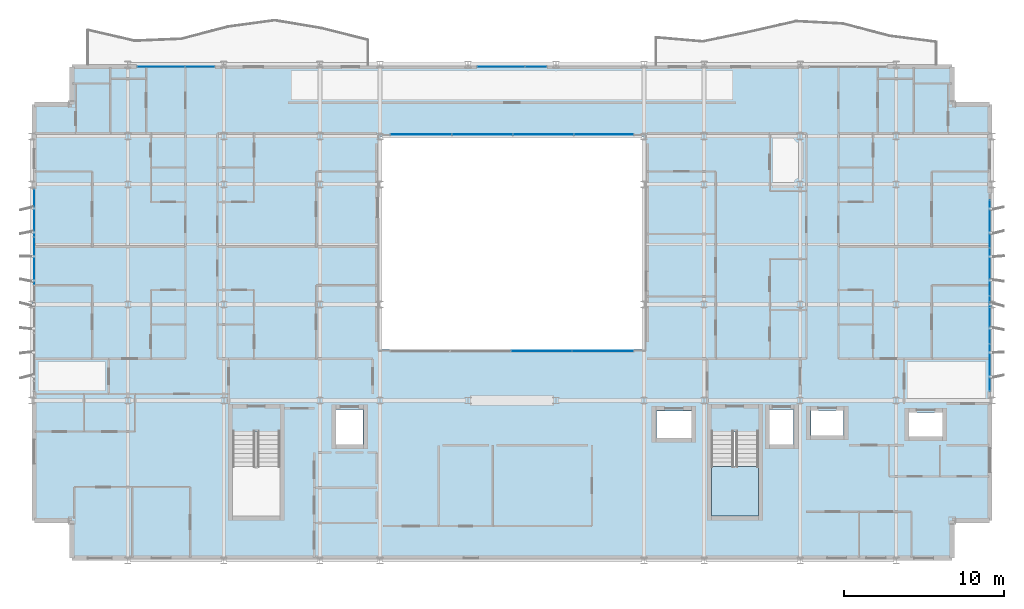
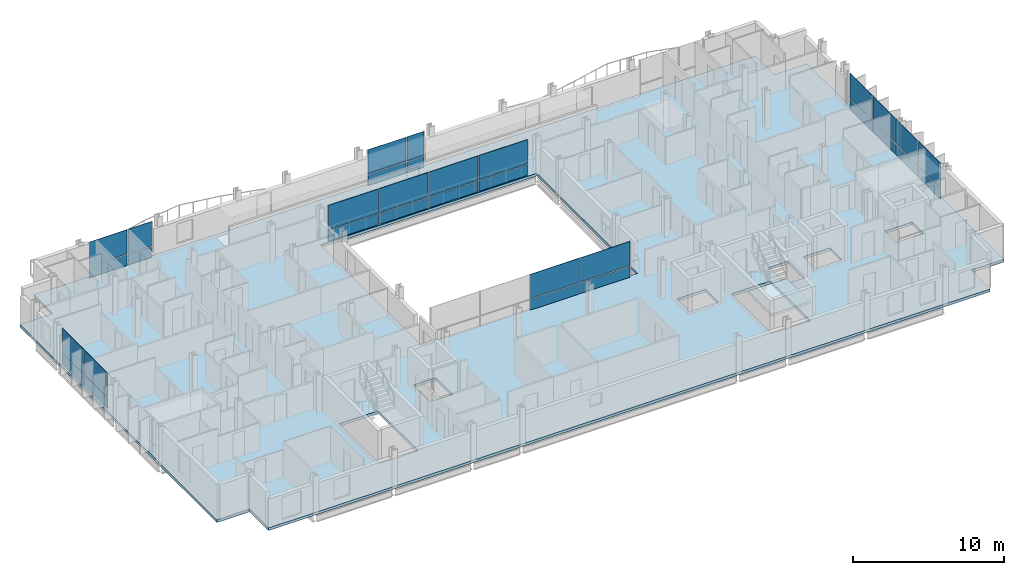
# One storey, part 23 of 39: 32 plates, 2 slabs, 7 elements without a shape of their own.
"""IFC4 building model written with IfcOpenShell, lengths in metres."""

from ifc_helpers import new_model, si_unit, direction, frame, origin, origin_2d, place, context, subcontext, project, spatial, polyline, rectangle, outline, extrude, material, layer, layer_set, type_object, element, aggregate, save


model = new_model("IFC4")

# Units and contexts
model_context = context("Model", 3, precision=1e-05, world=origin(), true_north=direction((0.0, 1.0)))
body_context = subcontext(model_context, "Body", "Model", "MODEL_VIEW")
ifc_project = project(units=[si_unit("LENGTHUNIT", "METRE"), si_unit("AREAUNIT", "SQUARE_METRE"), si_unit("VOLUMEUNIT", "CUBIC_METRE"), si_unit("PLANEANGLEUNIT", "RADIAN"), si_unit("MASSUNIT", "GRAM", prefix="KILO")], contexts=[model_context])

# Site, building, storey
site_placement = place(None, origin())
site = spatial("IfcSite", under=ifc_project, at=site_placement, CompositionType="ELEMENT")
building_placement = place(site_placement, origin())
building = spatial("IfcBuilding", under=site, at=building_placement, Name="Brevholm Reach", CompositionType="ELEMENT")
storey_placement = place(building_placement, frame((0.0, 0.0, 109.699951171875)))
storey = spatial("IfcBuildingStorey", under=building, at=storey_placement, Name="L32", CompositionType="ELEMENT", Elevation=109.699951171875)

# Curtain wall, plates
ifc_material_1 = material(Name="Dark Anodised Aluminium 6063-T6 and Solar-Control Glass", Category="aluminium")
ifc_layer_1 = layer(ifc_material_1, 0.14990234375)
ifc_layer_set_1 = layer_set([ifc_layer_1], Name="Dark Anodised Aluminium 6063-T6 and Solar-Control Glass")
curtain_wall_type_1 = type_object("IfcCurtainWallType", Name="CW-01", PredefinedType="NOTDEFINED", material=ifc_layer_set_1)
curtain_wall_1_placement = place(storey_placement, origin())
curtain_wall_1 = element("IfcCurtainWall", 1, at=curtain_wall_1_placement, inside=storey, type_object=curtain_wall_type_1, Name="L32 Curtain Wall CW-01", PredefinedType="NOTDEFINED")
ifc_material_2 = material(Name="Dark Solar-Control Double-Glazed IGU Glass", Category="glass")
ifc_layer_2 = layer(ifc_material_2, 0.028076171875)
ifc_layer_set_2 = layer_set([ifc_layer_2], Name="Dark Solar-Control Double-Glazed IGU Glass")
plate_type_1 = type_object("IfcPlateType", Name="CWP-GLZ-28", PredefinedType="CURTAIN_PANEL", material=ifc_layer_set_2)
plate_1_placement = place(storey_placement, frame((0.14990234375, 21.703857421875, 0.0), z_axis=(0.0, 0.0, 1.0), x_axis=(0.0, -1.0, 0.0)))
plate_1 = element("IfcPlate", 2, at=plate_1_placement, type_object=plate_type_1, Name="CP-01 Glazing Panel 1.1", PredefinedType="CURTAIN_PANEL", context=body_context, shape_type="SweptSolid", body=[
    extrude(rectangle(XDim=2.902587890625, YDim=0.028076171875, at=origin_2d()), origin(), (0.0, 0.0, 1.0), 0.867431640625),
])
plate_2_placement = place(storey_placement, frame((0.14990234375, 21.703857421875, 0.9326171875), z_axis=(0.0, 0.0, 1.0), x_axis=(0.0, -1.0, 0.0)))
plate_2 = element("IfcPlate", 3, at=plate_2_placement, type_object=plate_type_1, Name="CP-01 Glazing Panel 1.2", PredefinedType="CURTAIN_PANEL", context=body_context, shape_type="SweptSolid", body=[
    extrude(rectangle(XDim=2.902587890625, YDim=0.028076171875, at=origin_2d()), origin(), (0.0, 0.0, 1.0), 1.947509765625),
])
plate_3_placement = place(storey_placement, frame((0.14990234375, 18.719970703125, 0.0), z_axis=(0.0, 0.0, 1.0), x_axis=(0.0, -1.0, 0.0)))
plate_3 = element("IfcPlate", 4, at=plate_3_placement, type_object=plate_type_1, Name="CP-01 Glazing Panel 2.1", PredefinedType="CURTAIN_PANEL", context=body_context, shape_type="SweptSolid", body=[
    extrude(rectangle(XDim=2.93505859375, YDim=0.028076171875, at=origin_2d()), origin(), (0.0, 0.0, 1.0), 0.867431640625),
])
plate_4_placement = place(storey_placement, frame((0.14990234375, 18.719970703125, 0.9326171875), z_axis=(0.0, 0.0, 1.0), x_axis=(0.0, -1.0, 0.0)))
plate_4 = element("IfcPlate", 5, at=plate_4_placement, type_object=plate_type_1, Name="CP-01 Glazing Panel 2.2", PredefinedType="CURTAIN_PANEL", context=body_context, shape_type="SweptSolid", body=[
    extrude(rectangle(XDim=2.93505859375, YDim=0.028076171875, at=origin_2d()), origin(), (0.0, 0.0, 1.0), 1.947509765625),
])
aggregate(curtain_wall_1, [plate_1, plate_2, plate_3, plate_4])

curtain_wall_2_placement = place(storey_placement, origin())
curtain_wall_2 = element("IfcCurtainWall", 6, at=curtain_wall_2_placement, inside=storey, type_object=curtain_wall_type_1, Name="L32 Curtain Wall CW-01", PredefinedType="NOTDEFINED")
plate_5_placement = place(storey_placement, frame((59.85009765625, 12.066162109375, 0.0), z_axis=(0.0, 0.0, 1.0), x_axis=(0.0, 1.0, 0.0)))
plate_5 = element("IfcPlate", 7, at=plate_5_placement, type_object=plate_type_1, Name="CP-01 Glazing Panel 1.1", PredefinedType="CURTAIN_PANEL", context=body_context, shape_type="SweptSolid", body=[
    extrude(rectangle(XDim=2.902587890625, YDim=0.028076171875, at=origin_2d()), origin(), (0.0, 0.0, 1.0), 0.867431640625),
])
plate_6_placement = place(storey_placement, frame((59.85009765625, 12.066162109375, 0.9326171875), z_axis=(0.0, 0.0, 1.0), x_axis=(0.0, 1.0, 0.0)))
plate_6 = element("IfcPlate", 8, at=plate_6_placement, type_object=plate_type_1, Name="CP-01 Glazing Panel 1.2", PredefinedType="CURTAIN_PANEL", context=body_context, shape_type="SweptSolid", body=[
    extrude(rectangle(XDim=2.902587890625, YDim=0.028076171875, at=origin_2d()), origin(), (0.0, 0.0, 1.0), 1.947509765625),
])
plate_7_placement = place(storey_placement, frame((59.85009765625, 15.050048828125, 0.0), z_axis=(0.0, 0.0, 1.0), x_axis=(0.0, 1.0, 0.0)))
plate_7 = element("IfcPlate", 9, at=plate_7_placement, type_object=plate_type_1, Name="CP-01 Glazing Panel 2.1", PredefinedType="CURTAIN_PANEL", context=body_context, shape_type="SweptSolid", body=[
    extrude(rectangle(XDim=2.93505859375, YDim=0.028076171875, at=origin_2d()), origin(), (0.0, 0.0, 1.0), 0.867431640625),
])
plate_8_placement = place(storey_placement, frame((59.85009765625, 15.050048828125, 0.9326171875), z_axis=(0.0, 0.0, 1.0), x_axis=(0.0, 1.0, 0.0)))
plate_8 = element("IfcPlate", 10, at=plate_8_placement, type_object=plate_type_1, Name="CP-01 Glazing Panel 2.2", PredefinedType="CURTAIN_PANEL", context=body_context, shape_type="SweptSolid", body=[
    extrude(rectangle(XDim=2.93505859375, YDim=0.028076171875, at=origin_2d()), origin(), (0.0, 0.0, 1.0), 1.947509765625),
])
plate_9_placement = place(storey_placement, frame((59.85009765625, 18.050048828125, 0.0), z_axis=(0.0, 0.0, 1.0), x_axis=(0.0, 1.0, 0.0)))
plate_9 = element("IfcPlate", 11, at=plate_9_placement, type_object=plate_type_1, Name="CP-01 Glazing Panel 3.1", PredefinedType="CURTAIN_PANEL", context=body_context, shape_type="SweptSolid", body=[
    extrude(rectangle(XDim=2.93505859375, YDim=0.028076171875, at=origin_2d()), origin(), (0.0, 0.0, 1.0), 0.867431640625),
])
plate_10_placement = place(storey_placement, frame((59.85009765625, 18.050048828125, 0.9326171875), z_axis=(0.0, 0.0, 1.0), x_axis=(0.0, 1.0, 0.0)))
plate_10 = element("IfcPlate", 12, at=plate_10_placement, type_object=plate_type_1, Name="CP-01 Glazing Panel 3.2", PredefinedType="CURTAIN_PANEL", context=body_context, shape_type="SweptSolid", body=[
    extrude(rectangle(XDim=2.93505859375, YDim=0.028076171875, at=origin_2d()), origin(), (0.0, 0.0, 1.0), 1.947509765625),
])
plate_11_placement = place(storey_placement, frame((59.85009765625, 21.050048828125, 0.0), z_axis=(0.0, 0.0, 1.0), x_axis=(0.0, 1.0, 0.0)))
plate_11 = element("IfcPlate", 13, at=plate_11_placement, type_object=plate_type_1, Name="CP-01 Glazing Panel 4.1", PredefinedType="CURTAIN_PANEL", context=body_context, shape_type="SweptSolid", body=[
    extrude(rectangle(XDim=2.93505859375, YDim=0.028076171875, at=origin_2d()), origin(), (0.0, 0.0, 1.0), 0.867431640625),
])
plate_12_placement = place(storey_placement, frame((59.85009765625, 21.050048828125, 0.9326171875), z_axis=(0.0, 0.0, 1.0), x_axis=(0.0, 1.0, 0.0)))
plate_12 = element("IfcPlate", 14, at=plate_12_placement, type_object=plate_type_1, Name="CP-01 Glazing Panel 4.2", PredefinedType="CURTAIN_PANEL", context=body_context, shape_type="SweptSolid", body=[
    extrude(rectangle(XDim=2.93505859375, YDim=0.028076171875, at=origin_2d()), origin(), (0.0, 0.0, 1.0), 1.947509765625),
])
aggregate(curtain_wall_2, [plate_5, plate_6, plate_7, plate_8, plate_9, plate_10, plate_11, plate_12])

curtain_wall_3_placement = place(storey_placement, origin())
curtain_wall_3 = element("IfcCurtainWall", 15, at=curtain_wall_3_placement, inside=storey, type_object=curtain_wall_type_1, Name="L32 Curtain Wall CW-01", PredefinedType="NOTDEFINED")
plate_13_placement = place(storey_placement, frame((8.066162109375, 30.85009765625, 0.0), z_axis=(0.0, 0.0, 1.0), x_axis=(1.0, 0.0, 0.0)))
plate_13 = element("IfcPlate", 16, at=plate_13_placement, type_object=plate_type_1, Name="CP-01 Glazing Panel 1.1", PredefinedType="CURTAIN_PANEL", context=body_context, shape_type="SweptSolid", body=[
    extrude(rectangle(XDim=2.902587890625, YDim=0.028076171875, at=origin_2d()), origin(), (0.0, 0.0, 1.0), 0.867431640625),
])
plate_14_placement = place(storey_placement, frame((8.066162109375, 30.85009765625, 0.9326171875), z_axis=(0.0, 0.0, 1.0), x_axis=(1.0, 0.0, 0.0)))
plate_14 = element("IfcPlate", 17, at=plate_14_placement, type_object=plate_type_1, Name="CP-01 Glazing Panel 1.2", PredefinedType="CURTAIN_PANEL", context=body_context, shape_type="SweptSolid", body=[
    extrude(rectangle(XDim=2.902587890625, YDim=0.028076171875, at=origin_2d()), origin(), (0.0, 0.0, 1.0), 1.947509765625),
])
plate_15_placement = place(storey_placement, frame((10.483642578125, 30.85009765625, 0.0), z_axis=(0.0, 0.0, 1.0), x_axis=(1.0, 0.0, 0.0)))
plate_15 = element("IfcPlate", 18, at=plate_15_placement, type_object=plate_type_1, Name="CP-01 Glazing Panel 2.1", PredefinedType="CURTAIN_PANEL", context=body_context, shape_type="SweptSolid", body=[
    extrude(rectangle(XDim=1.802490234375, YDim=0.028076171875, at=origin_2d()), origin(), (0.0, 0.0, 1.0), 0.867431640625),
])
plate_16_placement = place(storey_placement, frame((10.483642578125, 30.85009765625, 0.9326171875), z_axis=(0.0, 0.0, 1.0), x_axis=(1.0, 0.0, 0.0)))
plate_16 = element("IfcPlate", 19, at=plate_16_placement, type_object=plate_type_1, Name="CP-01 Glazing Panel 2.2", PredefinedType="CURTAIN_PANEL", context=body_context, shape_type="SweptSolid", body=[
    extrude(rectangle(XDim=1.802490234375, YDim=0.028076171875, at=origin_2d()), origin(), (0.0, 0.0, 1.0), 1.947509765625),
])
aggregate(curtain_wall_3, [plate_13, plate_14, plate_15, plate_16])

curtain_wall_4_placement = place(storey_placement, origin())
curtain_wall_4 = element("IfcCurtainWall", 20, at=curtain_wall_4_placement, inside=storey, type_object=curtain_wall_type_1, Name="L32 Curtain Wall CW-01", PredefinedType="NOTDEFINED")
plate_17_placement = place(storey_placement, frame((29.316162109375, 30.85009765625, 0.0), z_axis=(0.0, 0.0, 1.0), x_axis=(1.0, 0.0, 0.0)))
plate_17 = element("IfcPlate", 21, at=plate_17_placement, type_object=plate_type_1, Name="CP-01 Glazing Panel 1.1", PredefinedType="CURTAIN_PANEL", context=body_context, shape_type="SweptSolid", body=[
    extrude(rectangle(XDim=2.902587890625, YDim=0.028076171875, at=origin_2d()), origin(), (0.0, 0.0, 1.0), 0.867431640625),
])
plate_18_placement = place(storey_placement, frame((29.316162109375, 30.85009765625, 0.9326171875), z_axis=(0.0, 0.0, 1.0), x_axis=(1.0, 0.0, 0.0)))
plate_18 = element("IfcPlate", 22, at=plate_18_placement, type_object=plate_type_1, Name="CP-01 Glazing Panel 1.2", PredefinedType="CURTAIN_PANEL", context=body_context, shape_type="SweptSolid", body=[
    extrude(rectangle(XDim=2.902587890625, YDim=0.028076171875, at=origin_2d()), origin(), (0.0, 0.0, 1.0), 1.947509765625),
])
plate_19_placement = place(storey_placement, frame((31.483642578125, 30.85009765625, 0.0), z_axis=(0.0, 0.0, 1.0), x_axis=(1.0, 0.0, 0.0)))
plate_19 = element("IfcPlate", 23, at=plate_19_placement, type_object=plate_type_1, Name="CP-01 Glazing Panel 2.1", PredefinedType="CURTAIN_PANEL", context=body_context, shape_type="SweptSolid", body=[
    extrude(rectangle(XDim=1.302490234375, YDim=0.028076171875, at=origin_2d()), origin(), (0.0, 0.0, 1.0), 0.867431640625),
])
plate_20_placement = place(storey_placement, frame((31.483642578125, 30.85009765625, 0.9326171875), z_axis=(0.0, 0.0, 1.0), x_axis=(1.0, 0.0, 0.0)))
plate_20 = element("IfcPlate", 24, at=plate_20_placement, type_object=plate_type_1, Name="CP-01 Glazing Panel 2.2", PredefinedType="CURTAIN_PANEL", context=body_context, shape_type="SweptSolid", body=[
    extrude(rectangle(XDim=1.302490234375, YDim=0.028076171875, at=origin_2d()), origin(), (0.0, 0.0, 1.0), 1.947509765625),
])
aggregate(curtain_wall_4, [plate_17, plate_18, plate_19, plate_20])

ifc_material_3 = material(Name="Dark Anodised Aluminium 6063-T6 and Solar-Control Glass", Category="aluminium")
ifc_layer_3 = layer(ifc_material_3, 0.139892578125)
ifc_layer_set_3 = layer_set([ifc_layer_3], Name="Dark Anodised Aluminium 6063-T6 and Solar-Control Glass")
curtain_wall_type_2 = type_object("IfcCurtainWallType", Name="CW-02", PredefinedType="NOTDEFINED", material=ifc_layer_set_3)
curtain_wall_5_placement = place(storey_placement, origin())
curtain_wall_5 = element("IfcCurtainWall", 25, at=curtain_wall_5_placement, inside=storey, type_object=curtain_wall_type_2, Name="L32 Curtain Wall CW-02", PredefinedType="NOTDEFINED")
ifc_material_4 = material(Name="Low-Iron Laminated Acoustic Glass", Category="glass")
ifc_layer_4 = layer(ifc_material_4, 0.035888671875)
ifc_layer_set_4 = layer_set([ifc_layer_4], Name="Low-Iron Laminated Acoustic Glass")
plate_type_2 = type_object("IfcPlateType", Name="CWP-GLZ-36", PredefinedType="CURTAIN_PANEL", material=ifc_layer_set_4)
plate_21_placement = place(storey_placement, frame((31.85009765625, 13.080078125, 0.0), z_axis=(0.0, 0.0, 1.0), x_axis=(1.0, 0.0, 0.0)))
plate_21 = element("IfcPlate", 26, at=plate_21_placement, type_object=plate_type_2, Name="CP-02 Glazing Panel 3.1", PredefinedType="CURTAIN_PANEL", context=body_context, shape_type="SweptSolid", body=[
    extrude(rectangle(XDim=3.739990234375, YDim=0.035888671875, at=origin_2d()), origin(), (0.0, 0.0, 1.0), 0.8701171875),
])
plate_22_placement = place(storey_placement, frame((31.85009765625, 13.080078125, 0.93017578125), z_axis=(0.0, 0.0, 1.0), x_axis=(1.0, 0.0, 0.0)))
plate_22 = element("IfcPlate", 27, at=plate_22_placement, type_object=plate_type_2, Name="CP-02 Glazing Panel 3.2", PredefinedType="CURTAIN_PANEL", context=body_context, shape_type="SweptSolid", body=[
    extrude(rectangle(XDim=3.739990234375, YDim=0.035888671875, at=origin_2d()), origin(), (0.0, 0.0, 1.0), 1.949951171875),
])
plate_23_placement = place(storey_placement, frame((35.68505859375, 13.080078125, 0.0), z_axis=(0.0, 0.0, 1.0), x_axis=(1.0, 0.0, 0.0)))
plate_23 = element("IfcPlate", 28, at=plate_23_placement, type_object=plate_type_2, Name="CP-02 Glazing Panel 4.1", PredefinedType="CURTAIN_PANEL", context=body_context, shape_type="SweptSolid", body=[
    extrude(rectangle(XDim=3.81005859375, YDim=0.035888671875, at=origin_2d()), origin(), (0.0, 0.0, 1.0), 0.8701171875),
])
plate_24_placement = place(storey_placement, frame((35.68505859375, 13.080078125, 0.93017578125), z_axis=(0.0, 0.0, 1.0), x_axis=(1.0, 0.0, 0.0)))
plate_24 = element("IfcPlate", 29, at=plate_24_placement, type_object=plate_type_2, Name="CP-02 Glazing Panel 4.2", PredefinedType="CURTAIN_PANEL", context=body_context, shape_type="SweptSolid", body=[
    extrude(rectangle(XDim=3.81005859375, YDim=0.035888671875, at=origin_2d()), origin(), (0.0, 0.0, 1.0), 1.949951171875),
])
aggregate(curtain_wall_5, [plate_21, plate_22, plate_23, plate_24])

curtain_wall_6_placement = place(storey_placement, origin())
curtain_wall_6 = element("IfcCurtainWall", 30, at=curtain_wall_6_placement, inside=storey, type_object=curtain_wall_type_2, Name="L32 Curtain Wall CW-02", PredefinedType="NOTDEFINED")
plate_25_placement = place(storey_placement, frame((35.735107421875, 26.6201171875, 0.0), z_axis=(0.0, 0.0, 1.0), x_axis=(-1.0, 0.0, 0.0)))
plate_25 = element("IfcPlate", 31, at=plate_25_placement, type_object=plate_type_2, Name="CP-02 Glazing Panel 1.1", PredefinedType="CURTAIN_PANEL", context=body_context, shape_type="SweptSolid", body=[
    extrude(rectangle(XDim=3.7099609375, YDim=0.035888671875, at=origin_2d()), origin(), (0.0, 0.0, 1.0), 0.8701171875),
])
plate_26_placement = place(storey_placement, frame((35.735107421875, 26.6201171875, 0.93017578125), z_axis=(0.0, 0.0, 1.0), x_axis=(-1.0, 0.0, 0.0)))
plate_26 = element("IfcPlate", 32, at=plate_26_placement, type_object=plate_type_2, Name="CP-02 Glazing Panel 1.2", PredefinedType="CURTAIN_PANEL", context=body_context, shape_type="SweptSolid", body=[
    extrude(rectangle(XDim=3.7099609375, YDim=0.035888671875, at=origin_2d()), origin(), (0.0, 0.0, 1.0), 1.949951171875),
])
plate_27_placement = place(storey_placement, frame((31.949951171875, 26.6201171875, 0.0), z_axis=(0.0, 0.0, 1.0), x_axis=(-1.0, 0.0, 0.0)))
plate_27 = element("IfcPlate", 33, at=plate_27_placement, type_object=plate_type_2, Name="CP-02 Glazing Panel 2.1", PredefinedType="CURTAIN_PANEL", context=body_context, shape_type="SweptSolid", body=[
    extrude(rectangle(XDim=3.739990234375, YDim=0.035888671875, at=origin_2d()), origin(), (0.0, 0.0, 1.0), 0.8701171875),
])
plate_28_placement = place(storey_placement, frame((31.949951171875, 26.6201171875, 0.93017578125), z_axis=(0.0, 0.0, 1.0), x_axis=(-1.0, 0.0, 0.0)))
plate_28 = element("IfcPlate", 34, at=plate_28_placement, type_object=plate_type_2, Name="CP-02 Glazing Panel 2.2", PredefinedType="CURTAIN_PANEL", context=body_context, shape_type="SweptSolid", body=[
    extrude(rectangle(XDim=3.739990234375, YDim=0.035888671875, at=origin_2d()), origin(), (0.0, 0.0, 1.0), 1.949951171875),
])
plate_29_placement = place(storey_placement, frame((28.14990234375, 26.6201171875, 0.0), z_axis=(0.0, 0.0, 1.0), x_axis=(-1.0, 0.0, 0.0)))
plate_29 = element("IfcPlate", 35, at=plate_29_placement, type_object=plate_type_2, Name="CP-02 Glazing Panel 3.1", PredefinedType="CURTAIN_PANEL", context=body_context, shape_type="SweptSolid", body=[
    extrude(rectangle(XDim=3.739990234375, YDim=0.035888671875, at=origin_2d()), origin(), (0.0, 0.0, 1.0), 0.8701171875),
])
plate_30_placement = place(storey_placement, frame((28.14990234375, 26.6201171875, 0.93017578125), z_axis=(0.0, 0.0, 1.0), x_axis=(-1.0, 0.0, 0.0)))
plate_30 = element("IfcPlate", 36, at=plate_30_placement, type_object=plate_type_2, Name="CP-02 Glazing Panel 3.2", PredefinedType="CURTAIN_PANEL", context=body_context, shape_type="SweptSolid", body=[
    extrude(rectangle(XDim=3.739990234375, YDim=0.035888671875, at=origin_2d()), origin(), (0.0, 0.0, 1.0), 1.949951171875),
])
plate_31_placement = place(storey_placement, frame((24.31494140625, 26.6201171875, 0.0), z_axis=(0.0, 0.0, 1.0), x_axis=(-1.0, 0.0, 0.0)))
plate_31 = element("IfcPlate", 37, at=plate_31_placement, type_object=plate_type_2, Name="CP-02 Glazing Panel 4.1", PredefinedType="CURTAIN_PANEL", context=body_context, shape_type="SweptSolid", body=[
    extrude(rectangle(XDim=3.81005859375, YDim=0.035888671875, at=origin_2d()), origin(), (0.0, 0.0, 1.0), 0.8701171875),
])
plate_32_placement = place(storey_placement, frame((24.31494140625, 26.6201171875, 0.93017578125), z_axis=(0.0, 0.0, 1.0), x_axis=(-1.0, 0.0, 0.0)))
plate_32 = element("IfcPlate", 38, at=plate_32_placement, type_object=plate_type_2, Name="CP-02 Glazing Panel 4.2", PredefinedType="CURTAIN_PANEL", context=body_context, shape_type="SweptSolid", body=[
    extrude(rectangle(XDim=3.81005859375, YDim=0.035888671875, at=origin_2d()), origin(), (0.0, 0.0, 1.0), 1.949951171875),
])
aggregate(curtain_wall_6, [plate_25, plate_26, plate_27, plate_28, plate_29, plate_30, plate_31, plate_32])

# Slab
ifc_material_5 = material(Name="Concrete C40/50", Category="concrete")
ifc_layer_5 = layer(ifc_material_5, 0.219970703125)
ifc_layer_set_5 = layer_set([ifc_layer_5], Name="Concrete C40/50")
slab_type_1 = type_object("IfcSlabType", Name="SLB-FL-220", PredefinedType="FLOOR", material=ifc_layer_set_5)
slab_1_placement = place(storey_placement, frame((0.0, 0.0, -0.219970703125)))
element("IfcSlab", 39, at=slab_1_placement, inside=storey, type_object=slab_type_1, Name="L32 Suspended Floor Slab (main)", PredefinedType="FLOOR", context=body_context, shape_type="SweptSolid", body=[
    extrude(outline(polyline([(2.5, 0.0), (57.5, 0.0), (57.5, 2.5), (60.0, 2.5), (60.0, 28.5), (57.5, 28.5), (57.5, 31.0), (2.5, 31.0), (2.5, 28.5), (0.0, 28.5), (0.0, 2.5), (2.5, 2.5), (2.5, 0.0)]), holes=[polyline([(21.75, 13.199951171875), (38.25, 13.199951171875), (38.25, 26.5), (21.75, 26.5), (21.75, 13.199951171875)]), polyline([(12.550048828125, 2.780029296875), (15.5, 2.780029296875), (15.5, 8.044921875), (12.550048828125, 8.044921875), (12.550048828125, 2.780029296875)]), polyline([(42.449951171875, 2.780029296875), (45.39990234375, 2.780029296875), (45.39990234375, 8.044921875), (42.449951171875, 8.044921875), (42.449951171875, 2.780029296875)]), polyline([(19.0, 7.25), (20.699951171875, 7.25), (20.699951171875, 9.449951171875), (19.0, 9.449951171875), (19.0, 7.25)]), polyline([(46.10009765625, 7.25), (47.60009765625, 7.25), (47.60009765625, 9.449951171875), (46.10009765625, 9.449951171875), (46.10009765625, 7.25)]), polyline([(48.675048828125, 7.824951171875), (50.72509765625, 7.824951171875), (50.72509765625, 9.375), (48.675048828125, 9.375), (48.675048828125, 7.824951171875)]), polyline([(54.800048828125, 7.75), (56.89990234375, 7.75), (56.89990234375, 9.25), (54.800048828125, 9.25), (54.800048828125, 7.75)]), polyline([(39.02001953125, 7.64990234375), (41.219970703125, 7.64990234375), (41.219970703125, 9.35009765625), (39.02001953125, 9.35009765625), (39.02001953125, 7.64990234375)])]), origin(), (0.0, 0.0, 1.0), 0.219970703125),
])

# Stair, slab
ifc_material_6 = material(Name="Precast Concrete C40/50", Category="concrete")
stair_type = type_object("IfcStairType", Name="STR-ESC-1400", PredefinedType="DOUBLE_RETURN_STAIR", material=ifc_material_6)
stair_placement = place(storey_placement, origin())
stair = element("IfcStair", 40, at=stair_placement, inside=storey, type_object=stair_type, Name="L32 ST-2", PredefinedType="DOUBLE_RETURN_STAIR")
ifc_material_7 = material(Name="Concrete C40/50", Category="concrete")
ifc_layer_6 = layer(ifc_material_7, 0.199951171875)
ifc_layer_set_6 = layer_set([ifc_layer_6], Name="Concrete C40/50")
slab_type_2 = type_object("IfcSlabType", Name="SLB-LND-200", PredefinedType="LANDING", material=ifc_layer_set_6)
slab_2_placement = place(storey_placement, frame((0.0, 0.0, 1.35009765625)))
slab_2 = element("IfcSlab", 41, at=slab_2_placement, type_object=slab_type_2, Name="ST-2 landing 1", PredefinedType="LANDING", context=body_context, shape_type="SweptSolid", body=[
    extrude(outline(polyline([(42.449951171875, 5.860107421875), (42.449951171875, 2.780029296875), (45.39990234375, 2.780029296875), (45.39990234375, 5.860107421875), (42.449951171875, 5.860107421875)])), origin(), (0.0, 0.0, 1.0), 0.199951171875),
])
aggregate(stair, [slab_2])

save(model, "model.ifc")
